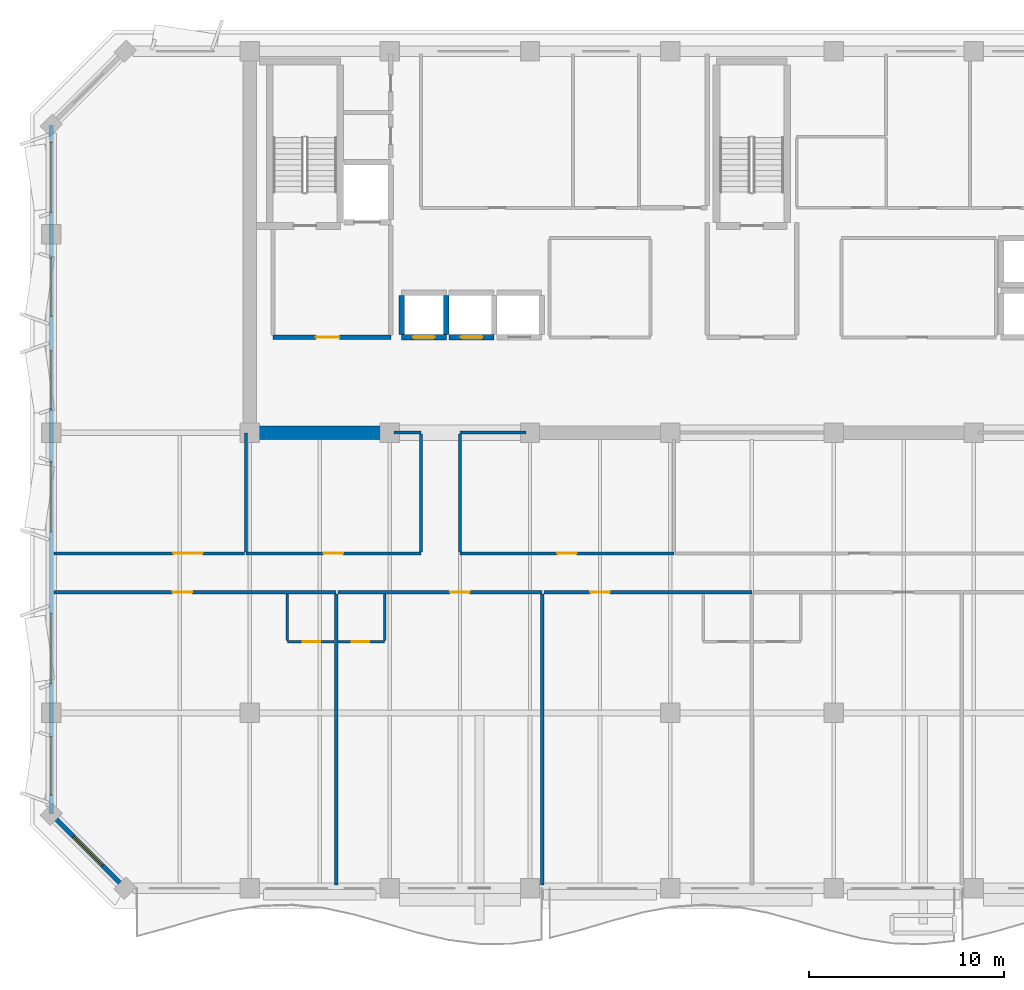
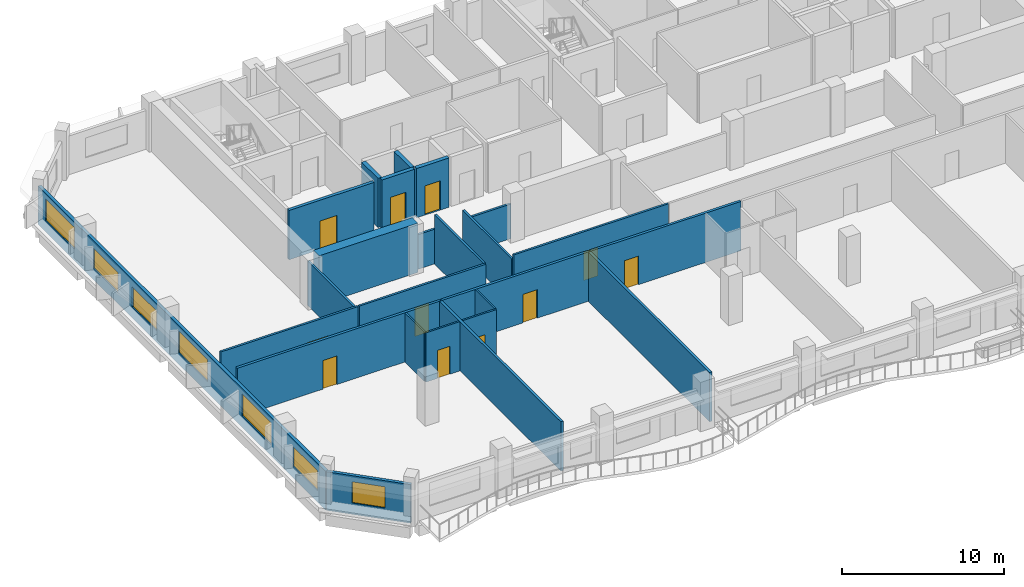
# One storey, part 3 of 11: 25 walls, 11 doors, 7 windows, 18 openings.
"""IFC4 building model written with IfcOpenShell, lengths in metres."""

import ifcopenshell
import ifcopenshell.guid

model = None  # the IFC model being written
_history = None  # IfcOwnerHistory: only IFC2X3 demands one
_inside = {}  # id of a spatial element -> (the spatial element, [elements in it])
_under = {}  # id of a project, library or spatial element -> (it, [spatial elements below it])
_declared = {}  # id of a project -> (the project, [libraries it declares])
_typed = {}  # id of a type object -> (the type object, [elements of that type])
_made_of = {}  # id of a material, layer set ... -> (it, [elements and type objects made of it])


def new_model(schema):
    """Start an empty IFC model of exactly this schema.

    Asked for "IFC4X3", IfcOpenShell would pick the latest addendum, in which some entities
    have other attributes; the version numbers below select the first issue.
    IFC2X3 requires an IfcOwnerHistory on every rooted entity: one is made here for all.
    """
    global model, _history
    if schema == "IFC4X3":
        model = ifcopenshell.file(schema_version=(4, 3, 0, 0))
    else:
        model = ifcopenshell.file(schema=schema)
    _inside.clear()
    _under.clear()
    _declared.clear()
    _typed.clear()
    _made_of.clear()
    _history = None
    if model.schema == "IFC2X3":
        org = make("IfcOrganization", Name="unknown")
        user = make(
            "IfcPersonAndOrganization",
            ThePerson=make("IfcPerson", FamilyName="unknown"),
            TheOrganization=org,
        )
        app = make(
            "IfcApplication",
            ApplicationDeveloper=org,
            Version="unknown",
            ApplicationFullName="unknown",
            ApplicationIdentifier="unknown",
        )
        _history = make(
            "IfcOwnerHistory",
            OwningUser=user,
            OwningApplication=app,
            ChangeAction="ADDED",
            CreationDate=0,
        )
    return model


def make(cls, **values):
    """One entity of the class cls with the attributes given. An attribute that is None is left unset."""
    return model.create_entity(
        cls, **{name: value for name, value in values.items() if value is not None}
    )


def rooted(cls, **values):
    """An entity with a GlobalId (a new one), such as an element, a storey or a relation."""
    return make(cls, GlobalId=ifcopenshell.guid.new(), OwnerHistory=_history, **values)


def si_unit(unit_type, name, prefix=None):
    """IfcSIUnit, for example si_unit("LENGTHUNIT", "METRE", prefix="MILLI")."""
    return make("IfcSIUnit", UnitType=unit_type, Prefix=prefix, Name=name)


def assignment(units):
    """IfcUnitAssignment: the units of a project."""
    return None if units is None else make("IfcUnitAssignment", Units=units)


def point(xyz):
    """IfcCartesianPoint."""
    return None if xyz is None else make("IfcCartesianPoint", Coordinates=xyz)


def direction(xyz):
    """IfcDirection."""
    return None if xyz is None else make("IfcDirection", DirectionRatios=xyz)


def frame(location, z_axis=None, x_axis=None):
    """IfcAxis2Placement3D, a coordinate frame: its origin and axes. An axis left out is left unset."""
    return make(
        "IfcAxis2Placement3D",
        Location=point(location),
        Axis=direction(z_axis),
        RefDirection=direction(x_axis),
    )


def frame_2d(location, x_axis=None):
    """IfcAxis2Placement2D, a coordinate frame in the plane: its origin and x axis."""
    return make(
        "IfcAxis2Placement2D", Location=point(location), RefDirection=direction(x_axis)
    )


def origin():
    """The frame at (0, 0, 0) with its axes left unset."""
    return frame((0.0, 0.0, 0.0))


def place(relative_to, where):
    """IfcLocalPlacement: puts the frame where relative to a parent placement (None: the world)."""
    return make(
        "IfcLocalPlacement", PlacementRelTo=relative_to, RelativePlacement=where
    )


def context(
    kind, dimensions, precision=None, world=None, true_north=None, identifier=None
):
    """IfcGeometricRepresentationContext, for example the 3D "Model" context."""
    return make(
        "IfcGeometricRepresentationContext",
        ContextIdentifier=identifier,
        ContextType=kind,
        CoordinateSpaceDimension=dimensions,
        Precision=precision,
        WorldCoordinateSystem=world,
        TrueNorth=true_north,
    )


def subcontext(parent, identifier, kind, view, scale=None):
    """IfcGeometricRepresentationSubContext, for example "Body" below "Model"."""
    return make(
        "IfcGeometricRepresentationSubContext",
        ContextIdentifier=identifier,
        ContextType=kind,
        ParentContext=parent,
        TargetScale=scale,
        TargetView=view,
    )


def project(units=None, contexts=None):
    """IfcProject with its units and contexts."""
    return rooted(
        "IfcProject",
        Name="project",
        RepresentationContexts=contexts,
        UnitsInContext=assignment(units),
    )


def spatial(cls, under=None, at=None, **own):
    """A site, building, storey or space (cls), placed at a placement, below another one or the project."""
    s = rooted(cls, ObjectPlacement=at, **own)
    if under is not None:
        _under.setdefault(under.id(), (under, []))[1].append(s)
    return s


def profile(cls, at=None, kind="AREA", **sizes):
    """A parametric profile (cls). Its sizes go by their IFC names, for example OverallWidth=200.0."""
    return make(cls, ProfileType=kind, Position=at, **sizes)


def rectangle(**sizes):
    """IfcRectangleProfileDef."""
    return profile("IfcRectangleProfileDef", **sizes)


def extrude(swept, where, along, depth):
    """IfcExtrudedAreaSolid: the profile swept, set in the frame where, extruded along a direction by depth."""
    return make(
        "IfcExtrudedAreaSolid",
        SweptArea=swept,
        Position=where,
        ExtrudedDirection=direction(along),
        Depth=depth,
    )


def shape(context_of_items, identifier, shape_type, items):
    """IfcShapeRepresentation: the items that make up one representation, for example the "Body"."""
    return make(
        "IfcShapeRepresentation",
        ContextOfItems=context_of_items,
        RepresentationIdentifier=identifier,
        RepresentationType=shape_type,
        Items=items,
    )


def material(Name=None, Category=None):
    """IfcMaterial."""
    return make("IfcMaterial", Name=Name, Category=Category)


def layer(
    of_material, thickness, ventilated=None, Name=None, Category=None, Priority=None
):
    """IfcMaterialLayer: one layer of a wall or slab, of a material (None: an air gap)."""
    return make(
        "IfcMaterialLayer",
        Material=of_material,
        LayerThickness=thickness,
        IsVentilated=ventilated,
        Name=Name,
        Category=Category,
        Priority=Priority,
    )


def layer_set(layers, Name=None):
    """IfcMaterialLayerSet."""
    return make("IfcMaterialLayerSet", MaterialLayers=layers, LayerSetName=Name)


def made_of(thing, what):
    """Note that an element or type object is made of a material, layer set ...; save() writes the relation."""
    if what is not None:
        _made_of.setdefault(what.id(), (what, []))[1].append(thing)
    return thing


def type_object(cls, material=None, **own):
    """A type object (cls), such as IfcWallType, which elements share."""
    return made_of(rooted(cls, **own), material)


def element(
    cls,
    number,
    at=None,
    inside=None,
    cuts=None,
    type_object=None,
    material=None,
    context=None,
    identifier="Body",
    shape_type=None,
    held_by="IfcProductDefinitionShape",
    body=None,
    shapes=None,
    **own,
):
    """One element of the class cls, such as IfcWall. Its Tag is "e" and its number.

    at: its placement. inside: the storey or other place that contains it. cuts: it is an
    opening in that element (IfcRelVoidsElement). A single representation is given by context,
    identifier, shape_type and body (its items); several are given by shapes. held_by: the class
    of the entity that holds the representations. save() writes the other relations.
    """
    e = rooted(cls, Tag="e%d" % number, ObjectPlacement=at, **own)
    if body is not None:
        shapes = [shape(context, identifier, shape_type, body)]
    if shapes is not None:
        e.Representation = make(held_by, Representations=shapes)
    if inside is not None:
        _inside.setdefault(inside.id(), (inside, []))[1].append(e)
    if cuts is not None:
        rooted(
            "IfcRelVoidsElement", RelatingBuildingElement=cuts, RelatedOpeningElement=e
        )
    if type_object is not None:
        _typed.setdefault(type_object.id(), (type_object, []))[1].append(e)
    return made_of(e, material)


def fill(opening, filler):
    """IfcRelFillsElement: the door or window that sits in an opening."""
    return rooted(
        "IfcRelFillsElement",
        RelatingOpeningElement=opening,
        RelatedBuildingElement=filler,
    )


def aggregate(whole, parts):
    """IfcRelAggregates: a whole, such as a stair, and the parts it consists of."""
    return rooted("IfcRelAggregates", RelatingObject=whole, RelatedObjects=parts)


def save(model, path):
    """Write the relations noted so far, then the file.

    IfcRelAggregates (storeys below a building ...), IfcRelContainedInSpatialStructure (elements
    in a storey), IfcRelDefinesByType, IfcRelAssociatesMaterial and IfcRelDeclares: one each for
    every whole, place, type object, material and project.
    """
    for whole, parts in _under.values():
        aggregate(whole, parts)
    for where, things in _inside.values():
        rooted(
            "IfcRelContainedInSpatialStructure",
            RelatedElements=things,
            RelatingStructure=where,
        )
    for kind, things in _typed.values():
        rooted("IfcRelDefinesByType", RelatedObjects=things, RelatingType=kind)
    for what, things in _made_of.values():
        rooted("IfcRelAssociatesMaterial", RelatedObjects=things, RelatingMaterial=what)
    for by, libraries in _declared.values():
        rooted("IfcRelDeclares", RelatingContext=by, RelatedDefinitions=libraries)
    model.write(path)


model = new_model("IFC4")

# Units and contexts
model_context = context("Model", 3, precision=1e-05, world=origin(), true_north=direction((0.0, 1.0)))
body_context = subcontext(model_context, "Body", "Model", "MODEL_VIEW")
ifc_project = project(units=[si_unit("LENGTHUNIT", "METRE"), si_unit("AREAUNIT", "SQUARE_METRE"), si_unit("VOLUMEUNIT", "CUBIC_METRE"), si_unit("PLANEANGLEUNIT", "RADIAN"), si_unit("MASSUNIT", "GRAM", prefix="KILO")], contexts=[model_context])

# Site, building, storey
site_placement = place(None, origin())
site = spatial("IfcSite", under=ifc_project, at=site_placement, CompositionType="ELEMENT")
building_placement = place(site_placement, origin())
building = spatial("IfcBuilding", under=site, at=building_placement, Name="Kaelvorn Grand Hotel", CompositionType="ELEMENT")
storey_placement = place(building_placement, frame((0.0, 0.0, 256.800048828125)))
storey = spatial("IfcBuildingStorey", under=building, at=storey_placement, Name="L63", CompositionType="ELEMENT", Elevation=256.800048828125)

# Wall
ifc_material_1 = material(Name="Concrete C50/60", Category="concrete")
ifc_layer_1 = layer(ifc_material_1, 0.699951171875)
ifc_layer_set_1 = layer_set([ifc_layer_1], Name="Concrete C50/60")
wall_type_1 = type_object("IfcWallType", Name="WL-CORE-700-C50", PredefinedType="SHEAR", material=ifc_layer_set_1)
wall_1_placement = place(storey_placement, frame((16.554931640625, 29.39990234375, 0.0), z_axis=(0.0, 0.0, 1.0), x_axis=(1.0, 0.0, 0.0)))
element("IfcWall", 1, at=wall_1_placement, inside=storey, type_object=wall_type_1, Name="L63 Rear-Core Coupled Shear Pier S1", PredefinedType="SHEAR", context=body_context, shape_type="SweptSolid", body=[
    extrude(rectangle(XDim=7.045166015625, YDim=0.699951171875, at=frame_2d((3.5224609375, 0.0))), origin(), (0.0, 0.0, 1.0), 3.7099609375),
])

# Wall, openings, windows
ifc_material_2 = material(Name="Concrete C40/50", Category="concrete")
ifc_layer_2 = layer(ifc_material_2, 0.219970703125)
ifc_layer_set_2 = layer_set([ifc_layer_2], Name="Concrete C40/50")
wall_type_2 = type_object("IfcWallType", Name="WL-EXT-220-C40", PredefinedType="SOLIDWALL", material=ifc_layer_set_2)
wall_2_placement = place(storey_placement, frame((6.0, 45.199951171875, 0.0), z_axis=(0.0, 0.0, 1.0), x_axis=(0.0, -1.0, 0.0)))
wall_2 = element("IfcWall", 2, at=wall_2_placement, inside=storey, type_object=wall_type_2, Name="L63 Exterior Architectural Concrete Wall 07", PredefinedType="SOLIDWALL", context=body_context, shape_type="SweptSolid", body=[
    extrude(rectangle(XDim=35.39990234375, YDim=0.219970703125, at=frame_2d((17.699951171875, 0.0))), origin(), (0.0, 0.0, 1.0), 2.909912109375),
])
opening_1_placement = place(wall_2_placement, frame((31.4150390625, 0.0, 0.85009765625)))
opening_1 = element("IfcOpeningElement", 3, at=opening_1_placement, cuts=wall_2, Name="Opening W5", PredefinedType="OPENING", context=body_context, shape_type="SweptSolid", body=[
    extrude(rectangle(XDim=3.0, YDim=1.5, at=frame_2d((1.5, 0.75))), frame((0.0, 0.1201171875, 0.0), z_axis=(0.0, -1.0, 0.0), x_axis=(1.0, 0.0, 0.0)), (0.0, 0.0, 1.0), 0.239990234375),
])
opening_2_placement = place(wall_2_placement, frame((25.10009765625, 0.0, 0.85009765625)))
opening_2 = element("IfcOpeningElement", 4, at=opening_2_placement, cuts=wall_2, Name="Opening W3", PredefinedType="OPENING", context=body_context, shape_type="SweptSolid", body=[
    extrude(rectangle(XDim=3.60009765625, YDim=1.64990234375, at=frame_2d((1.800048828125, 0.824951171875))), frame((0.0, 0.1201171875, 0.0), z_axis=(0.0, -1.0, 0.0), x_axis=(1.0, 0.0, 0.0)), (0.0, 0.0, 1.0), 0.239990234375),
])
opening_3_placement = place(wall_2_placement, frame((17.300048828125, 0.0, 0.85009765625)))
opening_3 = element("IfcOpeningElement", 5, at=opening_3_placement, cuts=wall_2, Name="Opening W3", PredefinedType="OPENING", context=body_context, shape_type="SweptSolid", body=[
    extrude(rectangle(XDim=3.60009765625, YDim=1.64990234375, at=frame_2d((1.800048828125, 0.824951171875))), frame((0.0, 0.1201171875, 0.0), z_axis=(0.0, -1.0, 0.0), x_axis=(1.0, 0.0, 0.0)), (0.0, 0.0, 1.0), 0.239990234375),
])
opening_4_placement = place(wall_2_placement, frame((11.5849609375, 0.0, 0.85009765625)))
opening_4 = element("IfcOpeningElement", 6, at=opening_4_placement, cuts=wall_2, Name="Opening W5", PredefinedType="OPENING", context=body_context, shape_type="SweptSolid", body=[
    extrude(rectangle(XDim=3.0, YDim=1.5, at=frame_2d((1.5, 0.75))), frame((0.0, 0.1201171875, 0.0), z_axis=(0.0, -1.0, 0.0), x_axis=(1.0, 0.0, 0.0)), (0.0, 0.0, 1.0), 0.239990234375),
])
opening_5_placement = place(wall_2_placement, frame((6.81494140625, 0.0, 0.85009765625)))
opening_5 = element("IfcOpeningElement", 7, at=opening_5_placement, cuts=wall_2, Name="Opening W5", PredefinedType="OPENING", context=body_context, shape_type="SweptSolid", body=[
    extrude(rectangle(XDim=3.0, YDim=1.5, at=frame_2d((1.5, 0.75))), frame((0.0, 0.1201171875, 0.0), z_axis=(0.0, -1.0, 0.0), x_axis=(1.0, 0.0, 0.0)), (0.0, 0.0, 1.0), 0.239990234375),
])
opening_6_placement = place(wall_2_placement, frame((0.885009765625, 0.0, 0.85009765625)))
opening_6 = element("IfcOpeningElement", 8, at=opening_6_placement, cuts=wall_2, Name="Opening W3", PredefinedType="OPENING", context=body_context, shape_type="SweptSolid", body=[
    extrude(rectangle(XDim=3.60009765625, YDim=1.64990234375, at=frame_2d((1.800048828125, 0.824951171875))), frame((0.0, 0.1201171875, 0.0), z_axis=(0.0, -1.0, 0.0), x_axis=(1.0, 0.0, 0.0)), (0.0, 0.0, 1.0), 0.239990234375),
])
ifc_material_3 = material(Name="Laminated Low-E Glass", Category="glass")
window_type_1 = type_object("IfcWindowType", Name="WIN-NTH-3000x1500", PartitioningType="SINGLE_PANEL", PredefinedType="WINDOW", material=ifc_material_3)
window_1_placement = place(opening_1_placement, origin())
window_1 = element("IfcWindow", 9, at=window_1_placement, inside=storey, type_object=window_type_1, Name="L63 W Wing Tilted-Frame Ribbon Window W01", OverallHeight=1.5, OverallWidth=3.0, PartitioningType="SINGLE_PANEL", PredefinedType="WINDOW", context=body_context, shape_type="SweptSolid", body=[
    extrude(rectangle(XDim=3.0, YDim=1.5, at=frame_2d((1.5, 0.75))), frame((0.0, 0.030029296875, 0.0), z_axis=(0.0, -1.0, 0.0), x_axis=(1.0, 0.0, 0.0)), (0.0, 0.0, 1.0), 0.06005859375),
])
fill(opening_1, window_1)
window_2_placement = place(opening_4_placement, origin())
window_2 = element("IfcWindow", 10, at=window_2_placement, inside=storey, type_object=window_type_1, Name="L63 W Wing Tilted-Frame Ribbon Window W04", OverallHeight=1.5, OverallWidth=3.0, PartitioningType="SINGLE_PANEL", PredefinedType="WINDOW", context=body_context, shape_type="SweptSolid", body=[
    extrude(rectangle(XDim=3.0, YDim=1.5, at=frame_2d((1.5, 0.75))), frame((0.0, 0.030029296875, 0.0), z_axis=(0.0, -1.0, 0.0), x_axis=(1.0, 0.0, 0.0)), (0.0, 0.0, 1.0), 0.06005859375),
])
fill(opening_4, window_2)
window_3_placement = place(opening_5_placement, origin())
window_3 = element("IfcWindow", 11, at=window_3_placement, inside=storey, type_object=window_type_1, Name="L63 W Wing Tilted-Frame Ribbon Window W05", OverallHeight=1.5, OverallWidth=3.0, PartitioningType="SINGLE_PANEL", PredefinedType="WINDOW", context=body_context, shape_type="SweptSolid", body=[
    extrude(rectangle(XDim=3.0, YDim=1.5, at=frame_2d((1.5, 0.75))), frame((0.0, 0.030029296875, 0.0), z_axis=(0.0, -1.0, 0.0), x_axis=(1.0, 0.0, 0.0)), (0.0, 0.0, 1.0), 0.06005859375),
])
fill(opening_5, window_3)
window_type_2 = type_object("IfcWindowType", Name="WIN-RIB-3600x1750", PartitioningType="SINGLE_PANEL", PredefinedType="WINDOW", material=ifc_material_3)
window_4_placement = place(opening_2_placement, origin())
window_4 = element("IfcWindow", 12, at=window_4_placement, inside=storey, type_object=window_type_2, Name="L63 W Wing Tilted-Frame Ribbon Window W02", OverallHeight=1.64990234375, OverallWidth=3.60009765625, PartitioningType="SINGLE_PANEL", PredefinedType="WINDOW", context=body_context, shape_type="SweptSolid", body=[
    extrude(rectangle(XDim=3.60009765625, YDim=1.64990234375, at=frame_2d((1.800048828125, 0.824951171875))), frame((0.0, 0.030029296875, 0.0), z_axis=(0.0, -1.0, 0.0), x_axis=(1.0, 0.0, 0.0)), (0.0, 0.0, 1.0), 0.06005859375),
])
fill(opening_2, window_4)
window_5_placement = place(opening_3_placement, origin())
window_5 = element("IfcWindow", 13, at=window_5_placement, inside=storey, type_object=window_type_2, Name="L63 W Wing Tilted-Frame Ribbon Window W03", OverallHeight=1.64990234375, OverallWidth=3.60009765625, PartitioningType="SINGLE_PANEL", PredefinedType="WINDOW", context=body_context, shape_type="SweptSolid", body=[
    extrude(rectangle(XDim=3.60009765625, YDim=1.64990234375, at=frame_2d((1.800048828125, 0.824951171875))), frame((0.0, 0.030029296875, 0.0), z_axis=(0.0, -1.0, 0.0), x_axis=(1.0, 0.0, 0.0)), (0.0, 0.0, 1.0), 0.06005859375),
])
fill(opening_3, window_5)
window_6_placement = place(opening_6_placement, origin())
window_6 = element("IfcWindow", 14, at=window_6_placement, inside=storey, type_object=window_type_2, Name="L63 W Wing Tilted-Frame Ribbon Window W06", OverallHeight=1.64990234375, OverallWidth=3.60009765625, PartitioningType="SINGLE_PANEL", PredefinedType="WINDOW", context=body_context, shape_type="SweptSolid", body=[
    extrude(rectangle(XDim=3.60009765625, YDim=1.64990234375, at=frame_2d((1.800048828125, 0.824951171875))), frame((0.0, 0.030029296875, 0.0), z_axis=(0.0, -1.0, 0.0), x_axis=(1.0, 0.0, 0.0)), (0.0, 0.0, 1.0), 0.06005859375),
])
fill(opening_6, window_6)

# Wall, opening, window
wall_3_placement = place(storey_placement, frame((6.0, 9.800048828125, 0.0), z_axis=(0.0, 0.0, 1.0), x_axis=(0.707106781187, -0.707106781187, 0.0)))
wall_3 = element("IfcWall", 15, at=wall_3_placement, inside=storey, type_object=wall_type_2, Name="L63 Exterior Architectural Concrete Wall 08", PredefinedType="SOLIDWALL", context=body_context, shape_type="SweptSolid", body=[
    extrude(rectangle(XDim=5.3740234375, YDim=0.219970703125, at=frame_2d((2.68701171875, 0.0))), origin(), (0.0, 0.0, 1.0), 2.909912109375),
])
opening_7_placement = place(wall_3_placement, frame((1.636962890625, 0.0, 0.85009765625)))
opening_7 = element("IfcOpeningElement", 16, at=opening_7_placement, cuts=wall_3, Name="Opening W7", PredefinedType="OPENING", context=body_context, shape_type="SweptSolid", body=[
    extrude(rectangle(XDim=2.10009765625, YDim=1.60009765625, at=frame_2d((1.050048828125, 0.800048828125))), frame((0.0, 0.1201171875, 0.0), z_axis=(0.0, -1.0, 0.0), x_axis=(1.0, 0.0, 0.0)), (0.0, 0.0, 1.0), 0.239990234375),
])
window_type_3 = type_object("IfcWindowType", Name="WIN-CHM-2100x1600", PartitioningType="SINGLE_PANEL", PredefinedType="WINDOW", material=ifc_material_3)
window_7_placement = place(opening_7_placement, origin())
window_7 = element("IfcWindow", 17, at=window_7_placement, inside=storey, type_object=window_type_3, Name="L63 Chamfered 45-Degree Corner Window SW", OverallHeight=1.60009765625, OverallWidth=2.10009765625, PartitioningType="SINGLE_PANEL", PredefinedType="WINDOW", context=body_context, shape_type="SweptSolid", body=[
    extrude(rectangle(XDim=2.10009765625, YDim=1.60009765625, at=frame_2d((1.050048828125, 0.800048828125))), frame((0.0, 0.030029296875, 0.0), z_axis=(0.0, -1.0, 0.0), x_axis=(1.0, 0.0, 0.0)), (0.0, 0.0, 1.0), 0.06005859375),
])
fill(opening_7, window_7)

# Wall, opening, door
ifc_material_4 = material(Name="Moisture-Resistant Tile & Stud Board")
ifc_layer_3 = layer(ifc_material_4, 0.125)
ifc_layer_set_3 = layer_set([ifc_layer_3], Name="Moisture-Resistant Tile & Stud Board")
wall_type_3 = type_object("IfcWallType", Name="WL-PART-125-WET", PredefinedType="PARTITIONING", material=ifc_layer_set_3)
wall_4_placement = place(storey_placement, frame((18.13330078125, 18.64990234375, 0.0), z_axis=(0.0, 0.0, 1.0), x_axis=(1.0, 0.0, 0.0)))
wall_4 = element("IfcWall", 18, at=wall_4_placement, inside=storey, type_object=wall_type_3, Name="L63 En-suite Bathroom L63-01 S Partition", PredefinedType="PARTITIONING", context=body_context, shape_type="SweptSolid", body=[
    extrude(rectangle(XDim=2.405029296875, YDim=0.125, at=frame_2d((1.20263671875, 0.0))), origin(), (0.0, 0.0, 1.0), 3.7099609375),
])
opening_8_placement = place(wall_4_placement, frame((0.800048828125, 0.0, 0.0)))
opening_8 = element("IfcOpeningElement", 19, at=opening_8_placement, cuts=wall_4, Name="Opening DI4", PredefinedType="OPENING", context=body_context, shape_type="SweptSolid", body=[
    extrude(rectangle(XDim=0.89990234375, YDim=2.10009765625, at=frame_2d((0.449951171875, 1.050048828125))), frame((0.0, 0.072509765625, 0.0), z_axis=(0.0, -1.0, 0.0), x_axis=(1.0, 0.0, 0.0)), (0.0, 0.0, 1.0), 0.14501953125),
])
ifc_material_5 = material(Name="Timber Veneer Leaf", Category="wood")
door_type_1 = type_object("IfcDoorType", Name="DR-INT-BATH-900x2100", OperationType="NOTDEFINED", PredefinedType="DOOR", material=ifc_material_5)
door_1_placement = place(opening_8_placement, origin())
door_1 = element("IfcDoor", 20, at=door_1_placement, inside=storey, type_object=door_type_1, Name="L63 En-suite Bathroom L63-01 Door", OperationType="SINGLE_SWING_LEFT", OverallHeight=2.10009765625, OverallWidth=0.89990234375, PredefinedType="DOOR", context=body_context, shape_type="SweptSolid", body=[
    extrude(rectangle(XDim=0.89990234375, YDim=2.10009765625, at=frame_2d((0.449951171875, 1.050048828125))), frame((0.0, 0.02490234375, 0.0), z_axis=(0.0, -1.0, 0.0), x_axis=(1.0, 0.0, 0.0)), (0.0, 0.0, 1.0), 0.050048828125),
])
fill(opening_8, door_1)

# Wall
wall_5_placement = place(storey_placement, frame((18.13330078125, 18.717529296875, 0.0), z_axis=(0.0, 0.0, 1.0), x_axis=(0.0, 1.0, 0.0)))
element("IfcWall", 21, at=wall_5_placement, inside=storey, type_object=wall_type_3, Name="L63 En-suite Bathroom L63-01 W Partition", PredefinedType="PARTITIONING", context=body_context, shape_type="SweptSolid", body=[
    extrude(rectangle(XDim=2.387451171875, YDim=0.125, at=frame_2d((1.19384765625, 0.0))), origin(), (0.0, 0.0, 1.0), 3.7099609375),
])

# Wall, opening, door
wall_6_placement = place(storey_placement, frame((20.728515625, 18.64990234375, 0.0), z_axis=(0.0, 0.0, 1.0), x_axis=(1.0, 0.0, 0.0)))
wall_6 = element("IfcWall", 22, at=wall_6_placement, inside=storey, type_object=wall_type_3, Name="L63 En-suite Bathroom L63-02 S Partition", PredefinedType="PARTITIONING", context=body_context, shape_type="SweptSolid", body=[
    extrude(rectangle(XDim=2.40478515625, YDim=0.125, at=frame_2d((1.202392578125, 0.0))), origin(), (0.0, 0.0, 1.0), 3.7099609375),
])
opening_9_placement = place(wall_6_placement, frame((0.705078125, 0.0, 0.0)))
opening_9 = element("IfcOpeningElement", 23, at=opening_9_placement, cuts=wall_6, Name="Opening DI4", PredefinedType="OPENING", context=body_context, shape_type="SweptSolid", body=[
    extrude(rectangle(XDim=0.89990234375, YDim=2.10009765625, at=frame_2d((0.449951171875, 1.050048828125))), frame((0.0, 0.072509765625, 0.0), z_axis=(0.0, -1.0, 0.0), x_axis=(1.0, 0.0, 0.0)), (0.0, 0.0, 1.0), 0.14501953125),
])
door_2_placement = place(opening_9_placement, origin())
door_2 = element("IfcDoor", 24, at=door_2_placement, inside=storey, type_object=door_type_1, Name="L63 En-suite Bathroom L63-02 Door", OperationType="SINGLE_SWING_LEFT", OverallHeight=2.10009765625, OverallWidth=0.89990234375, PredefinedType="DOOR", context=body_context, shape_type="SweptSolid", body=[
    extrude(rectangle(XDim=0.89990234375, YDim=2.10009765625, at=frame_2d((0.449951171875, 1.050048828125))), frame((0.0, 0.02490234375, 0.0), z_axis=(0.0, -1.0, 0.0), x_axis=(1.0, 0.0, 0.0)), (0.0, 0.0, 1.0), 0.050048828125),
])
fill(opening_9, door_2)

# Wall
wall_7_placement = place(storey_placement, frame((23.13330078125, 18.717529296875, 0.0), z_axis=(0.0, 0.0, 1.0), x_axis=(0.0, 1.0, 0.0)))
element("IfcWall", 25, at=wall_7_placement, inside=storey, type_object=wall_type_3, Name="L63 En-suite Bathroom L63-02 E Partition", PredefinedType="PARTITIONING", context=body_context, shape_type="SweptSolid", body=[
    extrude(rectangle(XDim=2.387451171875, YDim=0.125, at=frame_2d((1.19384765625, 0.0))), origin(), (0.0, 0.0, 1.0), 3.7099609375),
])

# Wall, opening, door
ifc_material_6 = material(Name="Acoustic Gypsum & Stud Partition")
ifc_layer_4 = layer(ifc_material_6, 0.14990234375)
ifc_layer_set_4 = layer_set([ifc_layer_4], Name="Acoustic Gypsum & Stud Partition")
wall_type_4 = type_object("IfcWallType", Name="WL-PART-150-EI60", PredefinedType="PARTITIONING", material=ifc_layer_set_4)
wall_8_placement = place(storey_placement, frame((16.0, 23.199951171875, 0.0), z_axis=(0.0, 0.0, 1.0), x_axis=(1.0, 0.0, 0.0)))
wall_8 = element("IfcWall", 26, at=wall_8_placement, inside=storey, type_object=wall_type_4, Name="L63 Reading Library Lounge S Partition", PredefinedType="PARTITIONING", context=body_context, shape_type="SweptSolid", body=[
    extrude(rectangle(XDim=9.0, YDim=0.14990234375, at=frame_2d((4.5, 0.0))), origin(), (0.0, 0.0, 1.0), 3.7099609375),
])
opening_10_placement = place(wall_8_placement, frame((4.0, 0.0, 0.0)))
opening_10 = element("IfcOpeningElement", 27, at=opening_10_placement, cuts=wall_8, Name="Opening DI3", PredefinedType="OPENING", context=body_context, shape_type="SweptSolid", body=[
    extrude(rectangle(XDim=1.0, YDim=2.14990234375, at=frame_2d((0.5, 1.074951171875))), frame((0.0, 0.0849609375, 0.0), z_axis=(0.0, -1.0, 0.0), x_axis=(1.0, 0.0, 0.0)), (0.0, 0.0, 1.0), 0.169921875),
])
ifc_material_7 = material(Name="Timber Veneer Fire Leaf", Category="wood")
door_type_2 = type_object("IfcDoorType", Name="DR-INT-GUEST-1000x2150", OperationType="NOTDEFINED", PredefinedType="DOOR", material=ifc_material_7)
door_3_placement = place(opening_10_placement, origin())
door_3 = element("IfcDoor", 28, at=door_3_placement, inside=storey, type_object=door_type_2, Name="L63 Reading Library Lounge Door", OperationType="SINGLE_SWING_RIGHT", OverallHeight=2.14990234375, OverallWidth=1.0, PredefinedType="DOOR", context=body_context, shape_type="SweptSolid", body=[
    extrude(rectangle(XDim=1.0, YDim=2.14990234375, at=frame_2d((0.5, 1.074951171875))), frame((0.0, 0.02490234375, 0.0), z_axis=(0.0, -1.0, 0.0), x_axis=(1.0, 0.0, 0.0)), (0.0, 0.0, 1.0), 0.050048828125),
])
fill(opening_10, door_3)

# Walls
wall_9_placement = place(storey_placement, frame((23.610107421875, 29.39990234375, 0.0), z_axis=(0.0, 0.0, 1.0), x_axis=(1.0, 0.0, 0.0)))
element("IfcWall", 29, at=wall_9_placement, inside=storey, type_object=wall_type_4, Name="L63 Reading Library Lounge N Partition", PredefinedType="PARTITIONING", context=body_context, shape_type="SweptSolid", body=[
    extrude(rectangle(XDim=1.389892578125, YDim=0.14990234375, at=frame_2d((0.69482421875, 0.0))), origin(), (0.0, 0.0, 1.0), 2.60986328125),
])
wall_10_placement = place(storey_placement, frame((16.0, 23.280029296875, 0.0), z_axis=(0.0, 0.0, 1.0), x_axis=(0.0, 1.0, 0.0)))
element("IfcWall", 30, at=wall_10_placement, inside=storey, type_object=wall_type_4, Name="L63 Reading Library Lounge W Partition", PredefinedType="PARTITIONING", context=body_context, shape_type="SweptSolid", body=[
    extrude(rectangle(XDim=6.10986328125, YDim=0.14990234375, at=frame_2d((3.054931640625, 0.0))), origin(), (0.0, 0.0, 1.0), 3.349853515625),
])
wall_11_placement = place(storey_placement, frame((25.0, 23.280029296875, 0.0), z_axis=(0.0, 0.0, 1.0), x_axis=(0.0, 1.0, 0.0)))
element("IfcWall", 31, at=wall_11_placement, inside=storey, type_object=wall_type_4, Name="L63 Reading Library Lounge E Partition", PredefinedType="PARTITIONING", context=body_context, shape_type="SweptSolid", body=[
    extrude(rectangle(XDim=6.0400390625, YDim=0.14990234375, at=frame_2d((3.02001953125, 0.0))), origin(), (0.0, 0.0, 1.0), 3.7099609375),
])

# Wall, opening, door
wall_12_placement = place(storey_placement, frame((27.0, 23.199951171875, 0.0), z_axis=(0.0, 0.0, 1.0), x_axis=(1.0, 0.0, 0.0)))
wall_12 = element("IfcWall", 32, at=wall_12_placement, inside=storey, type_object=wall_type_4, Name="L63 Chef Finishing Kitchen S Partition", PredefinedType="PARTITIONING", context=body_context, shape_type="SweptSolid", body=[
    extrude(rectangle(XDim=11.0, YDim=0.14990234375, at=frame_2d((5.5, 0.0))), origin(), (0.0, 0.0, 1.0), 3.7099609375),
])
opening_11_placement = place(wall_12_placement, frame((5.0, 0.0, 0.0)))
opening_11 = element("IfcOpeningElement", 33, at=opening_11_placement, cuts=wall_12, Name="Opening DI3", PredefinedType="OPENING", context=body_context, shape_type="SweptSolid", body=[
    extrude(rectangle(XDim=1.0, YDim=2.14990234375, at=frame_2d((0.5, 1.074951171875))), frame((0.0, 0.0849609375, 0.0), z_axis=(0.0, -1.0, 0.0), x_axis=(1.0, 0.0, 0.0)), (0.0, 0.0, 1.0), 0.169921875),
])
door_4_placement = place(opening_11_placement, origin())
door_4 = element("IfcDoor", 34, at=door_4_placement, inside=storey, type_object=door_type_2, Name="L63 Chef Finishing Kitchen Door", OperationType="SINGLE_SWING_LEFT", OverallHeight=2.14990234375, OverallWidth=1.0, PredefinedType="DOOR", context=body_context, shape_type="SweptSolid", body=[
    extrude(rectangle(XDim=1.0, YDim=2.14990234375, at=frame_2d((0.5, 1.074951171875))), frame((0.0, 0.02490234375, 0.0), z_axis=(0.0, -1.0, 0.0), x_axis=(1.0, 0.0, 0.0)), (0.0, 0.0, 1.0), 0.050048828125),
])
fill(opening_11, door_4)

# Walls
wall_13_placement = place(storey_placement, frame((27.0, 29.39990234375, 0.0), z_axis=(0.0, 0.0, 1.0), x_axis=(1.0, 0.0, 0.0)))
element("IfcWall", 35, at=wall_13_placement, inside=storey, type_object=wall_type_4, Name="L63 Chef Finishing Kitchen N Partition", PredefinedType="PARTITIONING", context=body_context, shape_type="SweptSolid", body=[
    extrude(rectangle(XDim=3.389892578125, YDim=0.14990234375, at=frame_2d((1.69482421875, 0.0))), origin(), (0.0, 0.0, 1.0), 2.60986328125),
])
wall_14_placement = place(storey_placement, frame((27.0, 23.280029296875, 0.0), z_axis=(0.0, 0.0, 1.0), x_axis=(0.0, 1.0, 0.0)))
element("IfcWall", 36, at=wall_14_placement, inside=storey, type_object=wall_type_4, Name="L63 Chef Finishing Kitchen W Partition", PredefinedType="PARTITIONING", context=body_context, shape_type="SweptSolid", body=[
    extrude(rectangle(XDim=6.0400390625, YDim=0.14990234375, at=frame_2d((3.02001953125, 0.0))), origin(), (0.0, 0.0, 1.0), 3.349853515625),
])

# Wall, opening, door
wall_15_placement = place(storey_placement, frame((6.14990234375, 23.199951171875, 0.0), z_axis=(0.0, 0.0, 1.0), x_axis=(1.0, 0.0, 0.0)))
wall_15 = element("IfcWall", 37, at=wall_15_placement, inside=storey, type_object=wall_type_4, Name="L63 West Sky Concierge Admin Office S Partition", PredefinedType="PARTITIONING", context=body_context, shape_type="SweptSolid", body=[
    extrude(rectangle(XDim=9.77001953125, YDim=0.14990234375, at=frame_2d((4.885009765625, 0.0))), origin(), (0.0, 0.0, 1.0), 3.7099609375),
])
opening_12_placement = place(wall_15_placement, frame((6.1298828125, 0.0, 0.0)))
opening_12 = element("IfcOpeningElement", 38, at=opening_12_placement, cuts=wall_15, Name="Opening DI5", PredefinedType="OPENING", context=body_context, shape_type="SweptSolid", body=[
    extrude(rectangle(XDim=1.5, YDim=2.25, at=frame_2d((0.75, 1.125))), frame((0.0, 0.0849609375, 0.0), z_axis=(0.0, -1.0, 0.0), x_axis=(1.0, 0.0, 0.0)), (0.0, 0.0, 1.0), 0.169921875),
])
door_type_3 = type_object("IfcDoorType", Name="DR-INT-SALON-1500x2250", OperationType="DOUBLE_DOOR_SINGLE_SWING", PredefinedType="DOOR", material=ifc_material_7)
door_5_placement = place(opening_12_placement, origin())
door_5 = element("IfcDoor", 39, at=door_5_placement, inside=storey, type_object=door_type_3, Name="L63 West Sky Concierge Admin Office Door", OperationType="DOUBLE_DOOR_SINGLE_SWING", OverallHeight=2.25, OverallWidth=1.5, PredefinedType="DOOR", context=body_context, shape_type="SweptSolid", body=[
    extrude(rectangle(XDim=1.5, YDim=2.25, at=frame_2d((0.75, 1.125))), frame((0.0, 0.02490234375, 0.0), z_axis=(0.0, -1.0, 0.0), x_axis=(1.0, 0.0, 0.0)), (0.0, 0.0, 1.0), 0.050048828125),
])
fill(opening_12, door_5)

ifc_layer_5 = layer(ifc_material_6, 0.179931640625)
ifc_layer_set_5 = layer_set([ifc_layer_5], Name="Acoustic Gypsum & Stud Partition")
wall_type_5 = type_object("IfcWallType", Name="WL-PART-180-EI60", PredefinedType="PARTITIONING", material=ifc_layer_set_5)
wall_16_placement = place(storey_placement, frame((6.14990234375, 21.199951171875, 0.0), z_axis=(0.0, 0.0, 1.0), x_axis=(1.0, 0.0, 0.0)))
wall_16 = element("IfcWall", 40, at=wall_16_placement, inside=storey, type_object=wall_type_5, Name="L63 Ambassador Junior Suite L63-01 N Partition", PredefinedType="PARTITIONING", context=body_context, shape_type="SweptSolid", body=[
    extrude(rectangle(XDim=14.4833984375, YDim=0.179931640625, at=frame_2d((7.24169921875, 0.0))), origin(), (0.0, 0.0, 1.0), 3.7099609375),
])
opening_13_placement = place(wall_16_placement, frame((6.0849609375, 0.0, 0.0)))
opening_13 = element("IfcOpeningElement", 41, at=opening_13_placement, cuts=wall_16, Name="Opening DI3", PredefinedType="OPENING", context=body_context, shape_type="SweptSolid", body=[
    extrude(rectangle(XDim=1.0, YDim=2.14990234375, at=frame_2d((0.5, 1.074951171875))), frame((0.0, 0.10009765625, 0.0), z_axis=(0.0, -1.0, 0.0), x_axis=(1.0, 0.0, 0.0)), (0.0, 0.0, 1.0), 0.199951171875),
])
door_6_placement = place(opening_13_placement, origin())
door_6 = element("IfcDoor", 42, at=door_6_placement, inside=storey, type_object=door_type_2, Name="L63 Ambassador Junior Suite L63-01 Door", OperationType="SINGLE_SWING_RIGHT", OverallHeight=2.14990234375, OverallWidth=1.0, PredefinedType="DOOR", context=body_context, shape_type="SweptSolid", body=[
    extrude(rectangle(XDim=1.0, YDim=2.14990234375, at=frame_2d((0.5, 1.074951171875))), frame((0.0, 0.02490234375, 0.0), z_axis=(0.0, -1.0, 0.0), x_axis=(1.0, 0.0, 0.0)), (0.0, 0.0, 1.0), 0.050048828125),
])
fill(opening_13, door_6)

# Wall
wall_17_placement = place(storey_placement, frame((20.63330078125, 6.14990234375, 0.0), z_axis=(0.0, 0.0, 1.0), x_axis=(0.0, 1.0, 0.0)))
element("IfcWall", 43, at=wall_17_placement, inside=storey, type_object=wall_type_5, Name="L63 Ambassador Junior Suite L63-01 E Partition", PredefinedType="PARTITIONING", context=body_context, shape_type="SweptSolid", body=[
    extrude(rectangle(XDim=14.955078125, YDim=0.179931640625, at=frame_2d((7.4775390625, 0.0))), origin(), (0.0, 0.0, 1.0), 3.7099609375),
])

# Wall, opening, door
wall_18_placement = place(storey_placement, frame((20.728515625, 21.199951171875, 0.0), z_axis=(0.0, 0.0, 1.0), x_axis=(1.0, 0.0, 0.0)))
wall_18 = element("IfcWall", 44, at=wall_18_placement, inside=storey, type_object=wall_type_5, Name="L63 Ambassador Junior Suite L63-02 N Partition", PredefinedType="PARTITIONING", context=body_context, shape_type="SweptSolid", body=[
    extrude(rectangle(XDim=10.48828125, YDim=0.179931640625, at=frame_2d((5.244140625, 0.0))), origin(), (0.0, 0.0, 1.0), 3.7099609375),
])
opening_14_placement = place(wall_18_placement, frame((5.771484375, 0.0, 0.0)))
opening_14 = element("IfcOpeningElement", 45, at=opening_14_placement, cuts=wall_18, Name="Opening DI3", PredefinedType="OPENING", context=body_context, shape_type="SweptSolid", body=[
    extrude(rectangle(XDim=1.0, YDim=2.14990234375, at=frame_2d((0.5, 1.074951171875))), frame((0.0, 0.10009765625, 0.0), z_axis=(0.0, -1.0, 0.0), x_axis=(1.0, 0.0, 0.0)), (0.0, 0.0, 1.0), 0.199951171875),
])
door_7_placement = place(opening_14_placement, origin())
door_7 = element("IfcDoor", 46, at=door_7_placement, inside=storey, type_object=door_type_2, Name="L63 Ambassador Junior Suite L63-02 Door", OperationType="SINGLE_SWING_RIGHT", OverallHeight=2.14990234375, OverallWidth=1.0, PredefinedType="DOOR", context=body_context, shape_type="SweptSolid", body=[
    extrude(rectangle(XDim=1.0, YDim=2.14990234375, at=frame_2d((0.5, 1.074951171875))), frame((0.0, 0.02490234375, 0.0), z_axis=(0.0, -1.0, 0.0), x_axis=(1.0, 0.0, 0.0)), (0.0, 0.0, 1.0), 0.050048828125),
])
fill(opening_14, door_7)

# Wall
wall_19_placement = place(storey_placement, frame((31.216796875, 6.14990234375, 0.0), z_axis=(0.0, 0.0, 1.0), x_axis=(0.0, 1.0, 0.0)))
element("IfcWall", 47, at=wall_19_placement, inside=storey, type_object=wall_type_5, Name="L63 Ambassador Junior Suite L63-02 E Partition", PredefinedType="PARTITIONING", context=body_context, shape_type="SweptSolid", body=[
    extrude(rectangle(XDim=14.955078125, YDim=0.179931640625, at=frame_2d((7.4775390625, 0.0))), origin(), (0.0, 0.0, 1.0), 3.7099609375),
])

# Wall, opening, door
wall_20_placement = place(storey_placement, frame((31.31201171875, 21.199951171875, 0.0), z_axis=(0.0, 0.0, 1.0), x_axis=(1.0, 0.0, 0.0)))
wall_20 = element("IfcWall", 48, at=wall_20_placement, inside=storey, type_object=wall_type_5, Name="L63 Ambassador Junior Suite L63-03 N Partition", PredefinedType="PARTITIONING", context=body_context, shape_type="SweptSolid", body=[
    extrude(rectangle(XDim=10.68798828125, YDim=0.179931640625, at=frame_2d((5.343994140625, 0.0))), origin(), (0.0, 0.0, 1.0), 3.7099609375),
])
opening_15_placement = place(wall_20_placement, frame((2.38818359375, 0.0, 0.0)))
opening_15 = element("IfcOpeningElement", 49, at=opening_15_placement, cuts=wall_20, Name="Opening DI3", PredefinedType="OPENING", context=body_context, shape_type="SweptSolid", body=[
    extrude(rectangle(XDim=1.0, YDim=2.14990234375, at=frame_2d((0.5, 1.074951171875))), frame((0.0, 0.10009765625, 0.0), z_axis=(0.0, -1.0, 0.0), x_axis=(1.0, 0.0, 0.0)), (0.0, 0.0, 1.0), 0.199951171875),
])
door_8_placement = place(opening_15_placement, origin())
door_8 = element("IfcDoor", 50, at=door_8_placement, inside=storey, type_object=door_type_2, Name="L63 Ambassador Junior Suite L63-03 Door", OperationType="SINGLE_SWING_RIGHT", OverallHeight=2.14990234375, OverallWidth=1.0, PredefinedType="DOOR", context=body_context, shape_type="SweptSolid", body=[
    extrude(rectangle(XDim=1.0, YDim=2.14990234375, at=frame_2d((0.5, 1.074951171875))), frame((0.0, 0.02490234375, 0.0), z_axis=(0.0, -1.0, 0.0), x_axis=(1.0, 0.0, 0.0)), (0.0, 0.0, 1.0), 0.050048828125),
])
fill(opening_15, door_8)

ifc_layer_6 = layer(ifc_material_2, 0.219970703125)
ifc_layer_set_6 = layer_set([ifc_layer_6], Name="Concrete C40/50")
wall_type_6 = type_object("IfcWallType", Name="WL-PART-220-EI120", PredefinedType="PARTITIONING", material=ifc_layer_set_6)
wall_21_placement = place(storey_placement, frame((17.39990234375, 34.300048828125, 0.0), z_axis=(0.0, 0.0, 1.0), x_axis=(1.0, 0.0, 0.0)))
wall_21 = element("IfcWall", 51, at=wall_21_placement, inside=storey, type_object=wall_type_6, Name="L63 Firefighting Lift Lobby 1 S Partition", PredefinedType="PARTITIONING", context=body_context, shape_type="SweptSolid", body=[
    extrude(rectangle(XDim=6.050048828125, YDim=0.219970703125, at=frame_2d((3.02490234375, 0.0))), origin(), (0.0, 0.0, 1.0), 3.7099609375),
])
opening_16_placement = place(wall_21_placement, frame((2.199951171875, 0.0, 0.0)))
opening_16 = element("IfcOpeningElement", 52, at=opening_16_placement, cuts=wall_21, Name="Opening DI2", PredefinedType="OPENING", context=body_context, shape_type="SweptSolid", body=[
    extrude(rectangle(XDim=1.199951171875, YDim=2.14990234375, at=frame_2d((0.60009765625, 1.074951171875))), frame((0.0, 0.1201171875, 0.0), z_axis=(0.0, -1.0, 0.0), x_axis=(1.0, 0.0, 0.0)), (0.0, 0.0, 1.0), 0.239990234375),
])
door_type_4 = type_object("IfcDoorType", Name="DR-INT-FFLOB-1200x2150", OperationType="NOTDEFINED", PredefinedType="DOOR", material=ifc_material_7)
door_9_placement = place(opening_16_placement, origin())
door_9 = element("IfcDoor", 53, at=door_9_placement, inside=storey, type_object=door_type_4, Name="L63 Firefighting Lift Lobby 1 Door", OperationType="SINGLE_SWING_RIGHT", OverallHeight=2.14990234375, OverallWidth=1.199951171875, PredefinedType="DOOR", context=body_context, shape_type="SweptSolid", body=[
    extrude(rectangle(XDim=1.199951171875, YDim=2.14990234375, at=frame_2d((0.60009765625, 1.074951171875))), frame((0.0, 0.02490234375, 0.0), z_axis=(0.0, -1.0, 0.0), x_axis=(1.0, 0.0, 0.0)), (0.0, 0.0, 1.0), 0.050048828125),
])
fill(opening_16, door_9)

ifc_layer_7 = layer(ifc_material_1, 0.280029296875)
ifc_layer_set_7 = layer_set([ifc_layer_7], Name="Concrete C50/60")
wall_type_7 = type_object("IfcWallType", Name="WL-SHAFT-280-C50", PredefinedType="SHEAR", material=ifc_layer_set_7)
wall_22_placement = place(storey_placement, frame((24.0, 34.300048828125, 0.0), z_axis=(0.0, 0.0, 1.0), x_axis=(1.0, 0.0, 0.0)))
wall_22 = element("IfcWall", 54, at=wall_22_placement, inside=storey, type_object=wall_type_7, Name="L63 Lift PL-H1 Shaft South Wall", PredefinedType="SHEAR", context=body_context, shape_type="SweptSolid", body=[
    extrude(rectangle(XDim=2.300048828125, YDim=0.280029296875, at=frame_2d((1.14990234375, 0.0))), origin(), (0.0, 0.0, 1.0), 3.7099609375),
])
opening_17_placement = place(wall_22_placement, frame((0.60009765625, 0.0, 0.0)))
opening_17 = element("IfcOpeningElement", 55, at=opening_17_placement, cuts=wall_22, Name="Opening LD-PL-H1", PredefinedType="OPENING", context=body_context, shape_type="SweptSolid", body=[
    extrude(rectangle(XDim=1.10009765625, YDim=2.199951171875, at=frame_2d((0.550048828125, 1.10009765625))), frame((0.0, 0.14990234375, 0.0), z_axis=(0.0, -1.0, 0.0), x_axis=(1.0, 0.0, 0.0)), (0.0, 0.0, 1.0), 0.300048828125),
])
ifc_material_8 = material(Name="Stainless Steel", Category="steel")
door_type_5 = type_object("IfcDoorType", Name="DR-LIFT-PASS-1100x2200", OperationType="DOUBLE_DOOR_SLIDING", PredefinedType="DOOR", material=ifc_material_8)
door_10_placement = place(opening_17_placement, origin())
door_10 = element("IfcDoor", 56, at=door_10_placement, inside=storey, type_object=door_type_5, Name="L63 Lift PL-H1 Sliding Landing Door LD-PL-H1", OperationType="DOUBLE_DOOR_SLIDING", OverallHeight=2.199951171875, OverallWidth=1.10009765625, PredefinedType="DOOR", context=body_context, shape_type="SweptSolid", body=[
    extrude(rectangle(XDim=1.10009765625, YDim=2.199951171875, at=frame_2d((0.550048828125, 1.10009765625))), frame((0.0, 0.02490234375, 0.0), z_axis=(0.0, -1.0, 0.0), x_axis=(1.0, 0.0, 0.0)), (0.0, 0.0, 1.0), 0.050048828125),
])
fill(opening_17, door_10)

# Walls
for number, where, z_axis, x_axis, name in (
    (57, (24.0, 34.445068359375, 0.0), (0.0, 0.0, 1.0), (0.0, 1.0, 0.0), "L63 Lift PL-H1 Shaft West Wall"),
    (58, (26.300048828125, 34.445068359375, 0.0), (0.0, 0.0, 1.0), (0.0, 1.0, 0.0), "L63 Lift PL-H1 Shaft East Wall"),
):
    element("IfcWall", number, at=place(storey_placement, frame(where, z_axis=z_axis, x_axis=x_axis)), inside=storey, type_object=wall_type_7, Name=name, PredefinedType="SHEAR", context=body_context, shape_type="SweptSolid", body=[
        extrude(rectangle(XDim=2.010009765625, YDim=0.280029296875, at=frame_2d((1.0048828125, 0.0))), origin(), (0.0, 0.0, 1.0), 3.7099609375),
    ])

# Wall, opening, door
wall_23_placement = place(storey_placement, frame((26.449951171875, 34.300048828125, 0.0), z_axis=(0.0, 0.0, 1.0), x_axis=(1.0, 0.0, 0.0)))
wall_23 = element("IfcWall", 59, at=wall_23_placement, inside=storey, type_object=wall_type_7, Name="L63 Lift PL-H2 Shaft South Wall", PredefinedType="SHEAR", context=body_context, shape_type="SweptSolid", body=[
    extrude(rectangle(XDim=2.300048828125, YDim=0.280029296875, at=frame_2d((1.14990234375, 0.0))), origin(), (0.0, 0.0, 1.0), 3.7099609375),
])
opening_18_placement = place(wall_23_placement, frame((0.60009765625, 0.0, 0.0)))
opening_18 = element("IfcOpeningElement", 60, at=opening_18_placement, cuts=wall_23, Name="Opening LD-PL-H2", PredefinedType="OPENING", context=body_context, shape_type="SweptSolid", body=[
    extrude(rectangle(XDim=1.10009765625, YDim=2.199951171875, at=frame_2d((0.550048828125, 1.10009765625))), frame((0.0, 0.14990234375, 0.0), z_axis=(0.0, -1.0, 0.0), x_axis=(1.0, 0.0, 0.0)), (0.0, 0.0, 1.0), 0.300048828125),
])
door_11_placement = place(opening_18_placement, origin())
door_11 = element("IfcDoor", 61, at=door_11_placement, inside=storey, type_object=door_type_5, Name="L63 Lift PL-H2 Sliding Landing Door LD-PL-H2", OperationType="DOUBLE_DOOR_SLIDING", OverallHeight=2.199951171875, OverallWidth=1.10009765625, PredefinedType="DOOR", context=body_context, shape_type="SweptSolid", body=[
    extrude(rectangle(XDim=1.10009765625, YDim=2.199951171875, at=frame_2d((0.550048828125, 1.10009765625))), frame((0.0, 0.02490234375, 0.0), z_axis=(0.0, -1.0, 0.0), x_axis=(1.0, 0.0, 0.0)), (0.0, 0.0, 1.0), 0.050048828125),
])
fill(opening_18, door_11)

save(model, "model.ifc")
